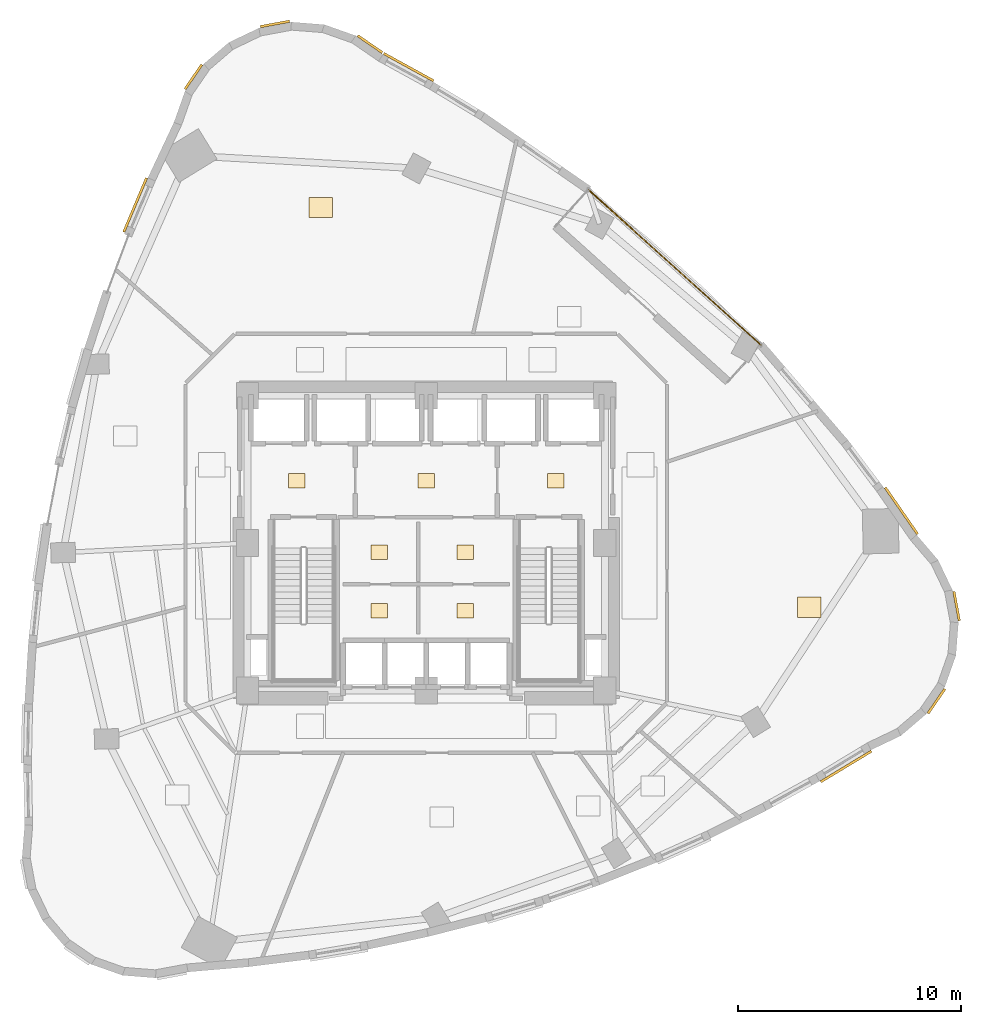
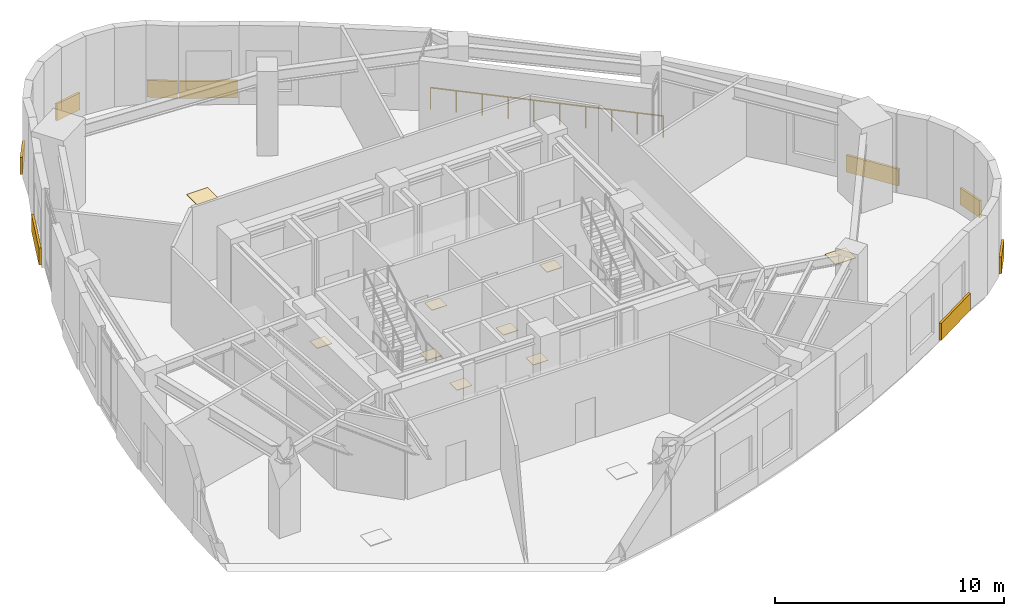
# One storey, part 19 of 19: 18 coverings, 1 railing.
"""IFC4 building model written with IfcOpenShell, lengths in metres."""

from ifc_helpers import new_model, si_unit, direction, frame, origin, origin_2d, place, context, subcontext, project, spatial, rectangle, circle, extrude, material, layer, layer_set, type_object, element, save


model = new_model("IFC4")

# Units and contexts
model_context = context("Model", 3, precision=1e-05, world=origin(), true_north=direction((0.0, 1.0)))
body_context = subcontext(model_context, "Body", "Model", "MODEL_VIEW")
ifc_project = project(units=[si_unit("LENGTHUNIT", "METRE"), si_unit("AREAUNIT", "SQUARE_METRE"), si_unit("VOLUMEUNIT", "CUBIC_METRE"), si_unit("PLANEANGLEUNIT", "RADIAN"), si_unit("MASSUNIT", "GRAM", prefix="KILO")], contexts=[model_context])

# Site, building, storey
site_placement = place(None, origin())
site = spatial("IfcSite", under=ifc_project, at=site_placement, CompositionType="ELEMENT")
building_placement = place(site_placement, origin())
building = spatial("IfcBuilding", under=site, at=building_placement, Name="Ndelora Gate Hotel", CompositionType="ELEMENT")
storey_placement = place(building_placement, frame((0.0, 0.0, 88.25)))
storey = spatial("IfcBuildingStorey", under=building, at=storey_placement, Name="L21", CompositionType="ELEMENT", Elevation=88.25)

# Coverings
ifc_material_1 = material(Name="Terracotta Fired Clay Brick Slip Cladding", Category="masonry")
ifc_layer_1 = layer(ifc_material_1, 0.110107421875)
ifc_layer_set_1 = layer_set([ifc_layer_1], Name="Terracotta Fired Clay Brick Slip Cladding")
covering_type_1 = type_object("IfcCoveringType", Name="COV-CLAD-BRK", PredefinedType="CLADDING", material=ifc_layer_set_1)
for number, where, z_axis, x_axis, name in (
    (1, (-2.5146484375, 22.338134765625, 0.10009765625), (0.0, 0.0, 1.0), (-0.824126188622, 0.566406236925, 0.0), "L21 Rounded-Corner Brick Cladding Band 1"),
    (2, (-6.771728515625, 23.2431640625, 0.10009765625), (0.0, 0.0, 1.0), (0.983254907564, 0.182235525492, 0.0), "L21 Rounded-Corner Brick Cladding Band 4"),
    (3, (-10.421875, 20.872802734375, 0.10009765625), (0.0, 0.0, 1.0), (0.566406236925, 0.824126188622, 0.0), "L21 Rounded-Corner Brick Cladding Band 7"),
):
    element("IfcCovering", number, at=place(storey_placement, frame(where, z_axis=z_axis, x_axis=x_axis)), inside=storey, type_object=covering_type_1, Name=name, PredefinedType="CLADDING", context=body_context, shape_type="SweptSolid", body=[
        extrude(rectangle(XDim=1.3359375, YDim=0.110107421875, at=origin_2d()), origin(), (0.0, 0.0, 1.0), 0.89990234375),
    ])
covering_1_placement = place(storey_placement, frame((-13.029296875, 15.138916015625, 0.10009765625), z_axis=(0.0, 0.0, 1.0), x_axis=(0.387998219728, 0.921660122544, 0.0)))
element("IfcCovering", 4, at=covering_1_placement, inside=storey, type_object=covering_type_1, Name="L21 Rounded-Corner Brick Cladding Band 10", PredefinedType="CLADDING", context=body_context, shape_type="SweptSolid", body=[
    extrude(rectangle(XDim=2.6279296875, YDim=0.110107421875, at=origin_2d()), origin(), (0.0, 0.0, 1.0), 0.89990234375),
])
covering_2_placement = place(storey_placement, frame((18.798095703125, -10.001220703125, 0.10009765625), z_axis=(0.0, 0.0, 1.0), x_axis=(0.855725702761, 0.517429726276, 0.0)))
element("IfcCovering", 5, at=covering_2_placement, inside=storey, type_object=covering_type_1, Name="L21 Rounded-Corner Brick Cladding Band 40", PredefinedType="CLADDING", context=body_context, shape_type="SweptSolid", body=[
    extrude(rectangle(XDim=2.65087890625, YDim=0.110107421875, at=origin_2d()), origin(), (0.0, 0.0, 1.0), 0.89990234375),
])
for number, where, z_axis, x_axis, name in (
    (6, (22.841064453125, -7.079833984375, 0.10009765625), (0.0, 0.0, 1.0), (0.566406236925, 0.824126188622, 0.0), "L21 Rounded-Corner Brick Cladding Band 43"),
    (7, (23.74609375, -2.82275390625, 0.10009765625), (0.0, 0.0, 1.0), (-0.182235525492, 0.983254907564, 0.0), "L21 Rounded-Corner Brick Cladding Band 46"),
):
    element("IfcCovering", number, at=place(storey_placement, frame(where, z_axis=z_axis, x_axis=x_axis)), inside=storey, type_object=covering_type_1, Name=name, PredefinedType="CLADDING", context=body_context, shape_type="SweptSolid", body=[
        extrude(rectangle(XDim=1.3359375, YDim=0.110107421875, at=origin_2d()), origin(), (0.0, 0.0, 1.0), 0.89990234375),
    ])
for number, where, z_axis, x_axis, name in (
    (8, (21.273193359375, 1.4462890625, 0.10009765625), (0.0, 0.0, 1.0), (-0.570570241419, 0.821248804935, 0.0), "L21 Rounded-Corner Brick Cladding Band 49"),
    (9, (-0.78515625, 21.3076171875, 0.10009765625), (0.0, 0.0, 1.0), (-0.876390748574, 0.481600722397, 0.0), "L21 Rounded-Corner Brick Cladding Band 58"),
):
    element("IfcCovering", number, at=place(storey_placement, frame(where, z_axis=z_axis, x_axis=x_axis)), inside=storey, type_object=covering_type_1, Name=name, PredefinedType="CLADDING", context=body_context, shape_type="SweptSolid", body=[
        extrude(rectangle(XDim=2.5419921875, YDim=0.110107421875, at=origin_2d()), origin(), (0.0, 0.0, 1.0), 0.89990234375),
    ])
ifc_material_2 = material(Name="Engineered Highland Oak Parquet", Category="wood")
ifc_layer_2 = layer(ifc_material_2, 0.030029296875)
ifc_layer_set_2 = layer_set([ifc_layer_2], Name="Engineered Highland Oak Parquet")
covering_type_2 = type_object("IfcCoveringType", Name="COV-FLR-PARQ", PredefinedType="FLOORING", material=ifc_layer_set_2)
for number, where, z_axis, x_axis, name in (
    (10, (17.1484375, -2.87255859375, 0.0), (0.0, 0.0, 1.0), (1.0, 0.0, 0.0), "L21 Sky Transfer Reception Salon Oak Parquet Flooring"),
    (11, (-4.7236328125, 15.03271484375, 0.0), (0.0, 0.0, 1.0), (1.0, 0.0, 0.0), "L21 Highland Espresso Bar Oak Parquet Flooring"),
):
    element("IfcCovering", number, at=place(storey_placement, frame(where, z_axis=z_axis, x_axis=x_axis)), inside=storey, type_object=covering_type_2, Name=name, PredefinedType="FLOORING", context=body_context, shape_type="SweptSolid", body=[
        extrude(rectangle(XDim=1.050048828125, YDim=0.89990234375, at=origin_2d()), origin(), (0.0, 0.0, 1.0), 0.030029296875),
    ])
ifc_material_3 = material(Name="Non-Slip Porcelain Wet-Room Tile", Category="ceramic")
ifc_layer_3 = layer(ifc_material_3, 0.02490234375)
ifc_layer_set_3 = layer_set([ifc_layer_3], Name="Non-Slip Porcelain Wet-Room Tile")
covering_type_3 = type_object("IfcCoveringType", Name="COV-FLR-TILE", PredefinedType="FLOORING", material=ifc_layer_set_3)
for number, where, z_axis, x_axis, name in (
    (12, (-5.800048828125, 2.800048828125, 0.0), (0.0, 0.0, 1.0), (1.0, 0.0, 0.0), "L21 Firefighting Lift Lobby West Porcelain Tile Flooring"),
    (13, (5.800048828125, 2.800048828125, 0.0), (0.0, 0.0, 1.0), (1.0, 0.0, 0.0), "L21 Firefighting Lift Lobby East Porcelain Tile Flooring"),
    (14, (0.0, 2.800048828125, 0.0), (0.0, 0.0, 1.0), (1.0, 0.0, 0.0), "L21 Central Passenger Lift Lobby Porcelain Tile Flooring"),
    (15, (-2.10009765625, -0.39990234375, 0.0), (0.0, 0.0, 1.0), (1.0, 0.0, 0.0), "L21 Core Electrical Closet Porcelain Tile Flooring"),
    (16, (1.75, -0.39990234375, 0.0), (0.0, 0.0, 1.0), (1.0, 0.0, 0.0), "L21 Comms Patching Store Porcelain Tile Flooring"),
    (17, (-2.10009765625, -3.02490234375, 0.0), (0.0, 0.0, 1.0), (1.0, 0.0, 0.0), "L21 Valet Laundry Store Porcelain Tile Flooring"),
    (18, (1.75, -3.02490234375, 0.0), (0.0, 0.0, 1.0), (1.0, 0.0, 0.0), "L21 Housekeeping Reserve Store Porcelain Tile Flooring"),
):
    element("IfcCovering", number, at=place(storey_placement, frame(where, z_axis=z_axis, x_axis=x_axis)), inside=storey, type_object=covering_type_3, Name=name, PredefinedType="FLOORING", context=body_context, shape_type="SweptSolid", body=[
        extrude(rectangle(XDim=0.75, YDim=0.64990234375, at=origin_2d()), origin(), (0.0, 0.0, 1.0), 0.02490234375),
    ])

# Railing
ifc_material_4 = material(Name="Laminated Safety Glass and Bronze Top Rail", Category="glass")
ifc_layer_4 = layer(ifc_material_4, 0.070068359375)
ifc_layer_set_4 = layer_set([ifc_layer_4], Name="Laminated Safety Glass and Bronze Top Rail")
railing_type = type_object("IfcRailingType", Name="RL-BAL-1150", PredefinedType="BALUSTRADE", material=ifc_layer_set_4)
railing_placement = place(storey_placement, frame((14.982421875, 8.868408203125, 0.0)))
element("IfcRailing", 19, at=railing_placement, inside=storey, type_object=railing_type, Name="L21 Sky-Garden Loggia Terrace Balustrade", PredefinedType="BALUSTRADE", context=body_context, shape_type="SweptSolid", body=[
    extrude(circle(Radius=0.02392578125, at=origin_2d()), frame((0.0, 0.0, 1.1357421875), z_axis=(-0.743145885754, 0.6691294288, 0.0), x_axis=(-0.6691294288, -0.743145885754, 0.0)), (0.0, 0.0, 1.0), 10.400146484375),
    extrude(circle(Radius=0.02099609375, at=origin_2d()), origin(), (0.0, 0.0, 1.0), 1.11181640625),
    extrude(circle(Radius=0.02099609375, at=origin_2d()), frame((-0.858642578125, 0.773193359375, 0.0)), (0.0, 0.0, 1.0), 1.11181640625),
    extrude(circle(Radius=0.02099609375, at=origin_2d()), frame((-1.717529296875, 1.54638671875, 0.0)), (0.0, 0.0, 1.0), 1.11181640625),
    extrude(circle(Radius=0.02099609375, at=origin_2d()), frame((-2.576171875, 2.319580078125, 0.0)), (0.0, 0.0, 1.0), 1.11181640625),
    extrude(circle(Radius=0.02099609375, at=origin_2d()), frame((-3.43505859375, 3.0927734375, 0.0)), (0.0, 0.0, 1.0), 1.11181640625),
    extrude(circle(Radius=0.02099609375, at=origin_2d()), frame((-4.293701171875, 3.8662109375, 0.0)), (0.0, 0.0, 1.0), 1.11181640625),
    extrude(circle(Radius=0.02099609375, at=origin_2d()), frame((-5.152587890625, 4.639404296875, 0.0)), (0.0, 0.0, 1.0), 1.11181640625),
    extrude(circle(Radius=0.02099609375, at=origin_2d()), frame((-6.01123046875, 5.41259765625, 0.0)), (0.0, 0.0, 1.0), 1.11181640625),
    extrude(circle(Radius=0.02099609375, at=origin_2d()), frame((-6.8701171875, 6.185791015625, 0.0)), (0.0, 0.0, 1.0), 1.11181640625),
    extrude(circle(Radius=0.02099609375, at=origin_2d()), frame((-7.728759765625, 6.958984375, 0.0)), (0.0, 0.0, 1.0), 1.11181640625),
])

save(model, "model.ifc")
